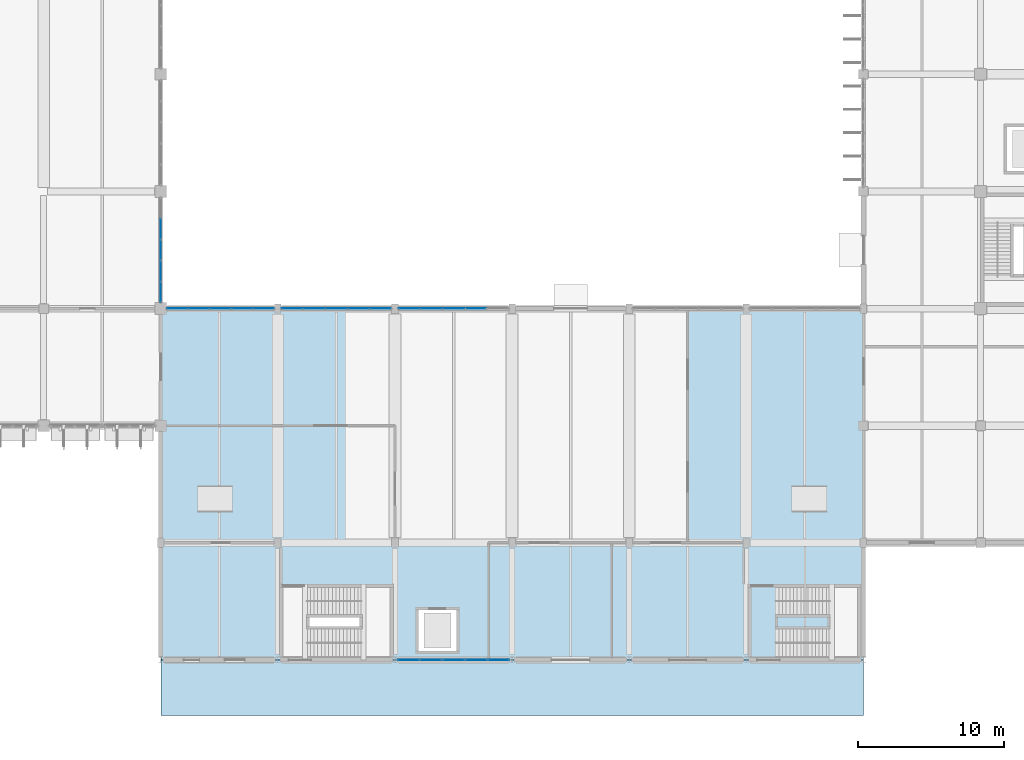
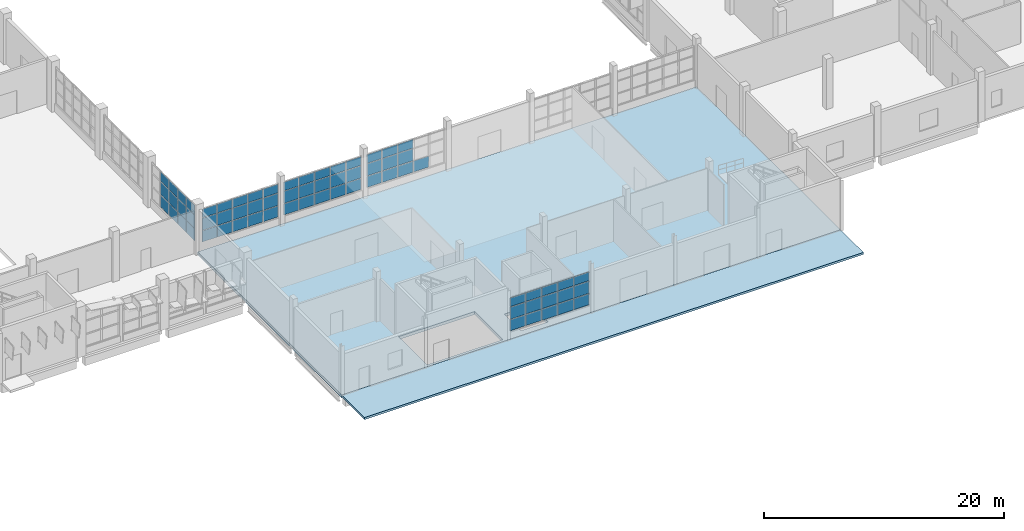
# One storey, part 55 of 103: 67 plates, 2 slabs, 5 elements without a shape of their own.
"""IFC4 building model written with IfcOpenShell, lengths in metres."""

from ifc_helpers import new_model, si_unit, direction, frame, origin, origin_2d, place, context, subcontext, project, spatial, polyline, rectangle, outline, extrude, material, layer, layer_set, type_object, element, aggregate, save


model = new_model("IFC4")

# Units and contexts
model_context = context("Model", 3, precision=1e-05, world=origin(), true_north=direction((0.0, 1.0)))
body_context = subcontext(model_context, "Body", "Model", "MODEL_VIEW")
ifc_project = project(units=[si_unit("LENGTHUNIT", "METRE"), si_unit("AREAUNIT", "SQUARE_METRE"), si_unit("VOLUMEUNIT", "CUBIC_METRE"), si_unit("PLANEANGLEUNIT", "RADIAN"), si_unit("MASSUNIT", "GRAM", prefix="KILO")], contexts=[model_context])

# Site, building, storey
site_placement = place(None, origin())
site = spatial("IfcSite", under=ifc_project, at=site_placement, CompositionType="ELEMENT")
building_placement = place(site_placement, origin())
building = spatial("IfcBuilding", under=site, at=building_placement, Name="Drelvana Railside Aquatics Centre", CompositionType="ELEMENT")
storey_placement = place(building_placement, origin())
storey = spatial("IfcBuildingStorey", under=building, at=storey_placement, Name="L00", CompositionType="ELEMENT", Elevation=0.0)

# Curtain wall, plates
ifc_material_1 = material(Name="Bronze-anodised aluminium curtain wall", Category="aluminium")
ifc_layer_1 = layer(ifc_material_1, 0.18994140625, Name="Bronze-anodised aluminium curtain wall")
ifc_layer_set_1 = layer_set([ifc_layer_1], Name="Bronze-anodised aluminium curtain wall")
curtain_wall_type_1 = type_object("IfcCurtainWallType", Name="CW-Z4-FOYER", PredefinedType="NOTDEFINED", material=ifc_layer_set_1)
curtain_wall_1_placement = place(storey_placement, origin())
curtain_wall_1 = element("IfcCurtainWall", 1, at=curtain_wall_1_placement, inside=storey, type_object=curtain_wall_type_1, Name="Curtain wall CW-04-104", PredefinedType="NOTDEFINED")
ifc_material_2 = material(Name="Double-glazed low-e solar-control glass", Category="glass")
ifc_layer_2 = layer(ifc_material_2, 0.030029296875, Name="Double-glazed low-e solar-control glass")
ifc_layer_set_2 = layer_set([ifc_layer_2], Name="Double-glazed low-e solar-control glass")
plate_type_1 = type_object("IfcPlateType", Name="CW-Z4-FOYER-PAN", PredefinedType="CURTAIN_PANEL", material=ifc_layer_set_2)
plate_1_placement = place(storey_placement, frame((112.931396484375, 0.0, 0.85400390625), z_axis=(0.0, 0.0, 1.0), x_axis=(1.0, 0.0, 0.0)))
plate_1 = element("IfcPlate", 2, at=plate_1_placement, type_object=plate_type_1, Name="CW-04 panel 1.1", PredefinedType="CURTAIN_PANEL", context=body_context, shape_type="SweptSolid", body=[
    extrude(rectangle(XDim=1.454833984375, YDim=0.030029296875, at=origin_2d()), origin(), (0.0, 0.0, 1.0), 1.12255859375),
])
plate_2_placement = place(storey_placement, frame((112.931396484375, 0.0, 2.03173828125), z_axis=(0.0, 0.0, 1.0), x_axis=(1.0, 0.0, 0.0)))
plate_2 = element("IfcPlate", 3, at=plate_2_placement, type_object=plate_type_1, Name="CW-04 panel 1.2", PredefinedType="CURTAIN_PANEL", context=body_context, shape_type="SweptSolid", body=[
    extrude(rectangle(XDim=1.454833984375, YDim=0.030029296875, at=origin_2d()), origin(), (0.0, 0.0, 1.0), 1.222900390625),
])
plate_3_placement = place(storey_placement, frame((112.931396484375, 0.0, 3.3095703125), z_axis=(0.0, 0.0, 1.0), x_axis=(1.0, 0.0, 0.0)))
plate_3 = element("IfcPlate", 4, at=plate_3_placement, type_object=plate_type_1, Name="CW-04 panel 1.3", PredefinedType="CURTAIN_PANEL", context=body_context, shape_type="SweptSolid", body=[
    extrude(rectangle(XDim=1.454833984375, YDim=0.030029296875, at=origin_2d()), origin(), (0.0, 0.0, 1.0), 0.880615234375),
])
plate_4_placement = place(storey_placement, frame((114.45751953125, 0.0, 0.85400390625), z_axis=(0.0, 0.0, 1.0), x_axis=(1.0, 0.0, 0.0)))
plate_4 = element("IfcPlate", 5, at=plate_4_placement, type_object=plate_type_1, Name="CW-04 panel 2.1", PredefinedType="CURTAIN_PANEL", context=body_context, shape_type="SweptSolid", body=[
    extrude(rectangle(XDim=1.4873046875, YDim=0.030029296875, at=origin_2d()), origin(), (0.0, 0.0, 1.0), 1.12255859375),
])
plate_5_placement = place(storey_placement, frame((114.45751953125, 0.0, 2.03173828125), z_axis=(0.0, 0.0, 1.0), x_axis=(1.0, 0.0, 0.0)))
plate_5 = element("IfcPlate", 6, at=plate_5_placement, type_object=plate_type_1, Name="CW-04 panel 2.2", PredefinedType="CURTAIN_PANEL", context=body_context, shape_type="SweptSolid", body=[
    extrude(rectangle(XDim=1.4873046875, YDim=0.030029296875, at=origin_2d()), origin(), (0.0, 0.0, 1.0), 1.222900390625),
])
plate_6_placement = place(storey_placement, frame((114.45751953125, 0.0, 3.3095703125), z_axis=(0.0, 0.0, 1.0), x_axis=(1.0, 0.0, 0.0)))
plate_6 = element("IfcPlate", 7, at=plate_6_placement, type_object=plate_type_1, Name="CW-04 panel 2.3", PredefinedType="CURTAIN_PANEL", context=body_context, shape_type="SweptSolid", body=[
    extrude(rectangle(XDim=1.4873046875, YDim=0.030029296875, at=origin_2d()), origin(), (0.0, 0.0, 1.0), 0.880615234375),
])
plate_7_placement = place(storey_placement, frame((116.0, 0.0, 0.85400390625), z_axis=(0.0, 0.0, 1.0), x_axis=(1.0, 0.0, 0.0)))
plate_7 = element("IfcPlate", 8, at=plate_7_placement, type_object=plate_type_1, Name="CW-04 panel 3.1", PredefinedType="CURTAIN_PANEL", context=body_context, shape_type="SweptSolid", body=[
    extrude(rectangle(XDim=1.4873046875, YDim=0.030029296875, at=origin_2d()), origin(), (0.0, 0.0, 1.0), 1.12255859375),
])
plate_8_placement = place(storey_placement, frame((116.0, 0.0, 2.03173828125), z_axis=(0.0, 0.0, 1.0), x_axis=(1.0, 0.0, 0.0)))
plate_8 = element("IfcPlate", 9, at=plate_8_placement, type_object=plate_type_1, Name="CW-04 panel 3.2", PredefinedType="CURTAIN_PANEL", context=body_context, shape_type="SweptSolid", body=[
    extrude(rectangle(XDim=1.4873046875, YDim=0.030029296875, at=origin_2d()), origin(), (0.0, 0.0, 1.0), 1.222900390625),
])
plate_9_placement = place(storey_placement, frame((116.0, 0.0, 3.3095703125), z_axis=(0.0, 0.0, 1.0), x_axis=(1.0, 0.0, 0.0)))
plate_9 = element("IfcPlate", 10, at=plate_9_placement, type_object=plate_type_1, Name="CW-04 panel 3.3", PredefinedType="CURTAIN_PANEL", context=body_context, shape_type="SweptSolid", body=[
    extrude(rectangle(XDim=1.4873046875, YDim=0.030029296875, at=origin_2d()), origin(), (0.0, 0.0, 1.0), 0.880615234375),
])
plate_10_placement = place(storey_placement, frame((117.54248046875, 0.0, 0.85400390625), z_axis=(0.0, 0.0, 1.0), x_axis=(1.0, 0.0, 0.0)))
plate_10 = element("IfcPlate", 11, at=plate_10_placement, type_object=plate_type_1, Name="CW-04 panel 4.1", PredefinedType="CURTAIN_PANEL", context=body_context, shape_type="SweptSolid", body=[
    extrude(rectangle(XDim=1.4873046875, YDim=0.030029296875, at=origin_2d()), origin(), (0.0, 0.0, 1.0), 1.12255859375),
])
plate_11_placement = place(storey_placement, frame((117.54248046875, 0.0, 2.03173828125), z_axis=(0.0, 0.0, 1.0), x_axis=(1.0, 0.0, 0.0)))
plate_11 = element("IfcPlate", 12, at=plate_11_placement, type_object=plate_type_1, Name="CW-04 panel 4.2", PredefinedType="CURTAIN_PANEL", context=body_context, shape_type="SweptSolid", body=[
    extrude(rectangle(XDim=1.4873046875, YDim=0.030029296875, at=origin_2d()), origin(), (0.0, 0.0, 1.0), 1.222900390625),
])
plate_12_placement = place(storey_placement, frame((117.54248046875, 0.0, 3.3095703125), z_axis=(0.0, 0.0, 1.0), x_axis=(1.0, 0.0, 0.0)))
plate_12 = element("IfcPlate", 13, at=plate_12_placement, type_object=plate_type_1, Name="CW-04 panel 4.3", PredefinedType="CURTAIN_PANEL", context=body_context, shape_type="SweptSolid", body=[
    extrude(rectangle(XDim=1.4873046875, YDim=0.030029296875, at=origin_2d()), origin(), (0.0, 0.0, 1.0), 0.880615234375),
])
plate_13_placement = place(storey_placement, frame((119.068603515625, 0.0, 0.85400390625), z_axis=(0.0, 0.0, 1.0), x_axis=(1.0, 0.0, 0.0)))
plate_13 = element("IfcPlate", 14, at=plate_13_placement, type_object=plate_type_1, Name="CW-04 panel 5.1", PredefinedType="CURTAIN_PANEL", context=body_context, shape_type="SweptSolid", body=[
    extrude(rectangle(XDim=1.454833984375, YDim=0.030029296875, at=origin_2d()), origin(), (0.0, 0.0, 1.0), 1.12255859375),
])
plate_14_placement = place(storey_placement, frame((119.068603515625, 0.0, 2.03173828125), z_axis=(0.0, 0.0, 1.0), x_axis=(1.0, 0.0, 0.0)))
plate_14 = element("IfcPlate", 15, at=plate_14_placement, type_object=plate_type_1, Name="CW-04 panel 5.2", PredefinedType="CURTAIN_PANEL", context=body_context, shape_type="SweptSolid", body=[
    extrude(rectangle(XDim=1.454833984375, YDim=0.030029296875, at=origin_2d()), origin(), (0.0, 0.0, 1.0), 1.222900390625),
])
plate_15_placement = place(storey_placement, frame((119.068603515625, 0.0, 3.3095703125), z_axis=(0.0, 0.0, 1.0), x_axis=(1.0, 0.0, 0.0)))
plate_15 = element("IfcPlate", 16, at=plate_15_placement, type_object=plate_type_1, Name="CW-04 panel 5.3", PredefinedType="CURTAIN_PANEL", context=body_context, shape_type="SweptSolid", body=[
    extrude(rectangle(XDim=1.454833984375, YDim=0.030029296875, at=origin_2d()), origin(), (0.0, 0.0, 1.0), 0.880615234375),
])
aggregate(curtain_wall_1, [plate_1, plate_2, plate_3, plate_4, plate_5, plate_6, plate_7, plate_8, plate_9, plate_10, plate_11, plate_12, plate_13, plate_14, plate_15])

ifc_layer_3 = layer(ifc_material_1, 0.1650390625, Name="Bronze-anodised aluminium curtain wall")
ifc_layer_set_3 = layer_set([ifc_layer_3], Name="Bronze-anodised aluminium curtain wall")
curtain_wall_type_2 = type_object("IfcCurtainWallType", Name="CW-Z5-COURT", PredefinedType="NOTDEFINED", material=ifc_layer_set_3)
curtain_wall_2_placement = place(storey_placement, origin())
curtain_wall_2 = element("IfcCurtainWall", 17, at=curtain_wall_2_placement, inside=storey, type_object=curtain_wall_type_2, Name="Curtain wall CW-05-055", PredefinedType="NOTDEFINED")
ifc_layer_4 = layer(ifc_material_2, 0.02587890625, Name="Double-glazed low-e solar-control glass")
ifc_layer_set_4 = layer_set([ifc_layer_4], Name="Double-glazed low-e solar-control glass")
plate_type_2 = type_object("IfcPlateType", Name="CW-Z5-COURT-PAN", PredefinedType="CURTAIN_PANEL", material=ifc_layer_set_4)
plate_16_placement = place(storey_placement, frame((96.0, 25.130126953125, 0.84912109375), z_axis=(0.0, 0.0, 1.0), x_axis=(0.0, 1.0, 0.0)))
plate_16 = element("IfcPlate", 18, at=plate_16_placement, type_object=plate_type_2, Name="CW-05 panel 1.1", PredefinedType="CURTAIN_PANEL", context=body_context, shape_type="SweptSolid", body=[
    extrude(rectangle(XDim=1.3623046875, YDim=0.02587890625, at=origin_2d()), origin(), (0.0, 0.0, 1.0), 1.217041015625),
])
plate_17_placement = place(storey_placement, frame((96.0, 25.130126953125, 2.1162109375), z_axis=(0.0, 0.0, 1.0), x_axis=(0.0, 1.0, 0.0)))
plate_17 = element("IfcPlate", 19, at=plate_17_placement, type_object=plate_type_2, Name="CW-05 panel 1.2", PredefinedType="CURTAIN_PANEL", context=body_context, shape_type="SweptSolid", body=[
    extrude(rectangle(XDim=1.3623046875, YDim=0.02587890625, at=origin_2d()), origin(), (0.0, 0.0, 1.0), 1.321044921875),
])
plate_18_placement = place(storey_placement, frame((96.0, 25.130126953125, 3.487060546875), z_axis=(0.0, 0.0, 1.0), x_axis=(0.0, 1.0, 0.0)))
plate_18 = element("IfcPlate", 20, at=plate_18_placement, type_object=plate_type_2, Name="CW-05 panel 1.3", PredefinedType="CURTAIN_PANEL", context=body_context, shape_type="SweptSolid", body=[
    extrude(rectangle(XDim=1.3623046875, YDim=0.02587890625, at=origin_2d()), origin(), (0.0, 0.0, 1.0), 0.9580078125),
])
plate_19_placement = place(storey_placement, frame((96.0, 26.5576171875, 0.84912109375), z_axis=(0.0, 0.0, 1.0), x_axis=(0.0, 1.0, 0.0)))
plate_19 = element("IfcPlate", 21, at=plate_19_placement, type_object=plate_type_2, Name="CW-05 panel 2.1", PredefinedType="CURTAIN_PANEL", context=body_context, shape_type="SweptSolid", body=[
    extrude(rectangle(XDim=1.392333984375, YDim=0.02587890625, at=origin_2d()), origin(), (0.0, 0.0, 1.0), 1.217041015625),
])
plate_20_placement = place(storey_placement, frame((96.0, 26.5576171875, 2.1162109375), z_axis=(0.0, 0.0, 1.0), x_axis=(0.0, 1.0, 0.0)))
plate_20 = element("IfcPlate", 22, at=plate_20_placement, type_object=plate_type_2, Name="CW-05 panel 2.2", PredefinedType="CURTAIN_PANEL", context=body_context, shape_type="SweptSolid", body=[
    extrude(rectangle(XDim=1.392333984375, YDim=0.02587890625, at=origin_2d()), origin(), (0.0, 0.0, 1.0), 1.321044921875),
])
plate_21_placement = place(storey_placement, frame((96.0, 26.5576171875, 3.487060546875), z_axis=(0.0, 0.0, 1.0), x_axis=(0.0, 1.0, 0.0)))
plate_21 = element("IfcPlate", 23, at=plate_21_placement, type_object=plate_type_2, Name="CW-05 panel 2.3", PredefinedType="CURTAIN_PANEL", context=body_context, shape_type="SweptSolid", body=[
    extrude(rectangle(XDim=1.392333984375, YDim=0.02587890625, at=origin_2d()), origin(), (0.0, 0.0, 1.0), 0.9580078125),
])
plate_22_placement = place(storey_placement, frame((96.0, 28.0, 0.84912109375), z_axis=(0.0, 0.0, 1.0), x_axis=(0.0, 1.0, 0.0)))
plate_22 = element("IfcPlate", 24, at=plate_22_placement, type_object=plate_type_2, Name="CW-05 panel 3.1", PredefinedType="CURTAIN_PANEL", context=body_context, shape_type="SweptSolid", body=[
    extrude(rectangle(XDim=1.392333984375, YDim=0.02587890625, at=origin_2d()), origin(), (0.0, 0.0, 1.0), 1.217041015625),
])
plate_23_placement = place(storey_placement, frame((96.0, 28.0, 2.1162109375), z_axis=(0.0, 0.0, 1.0), x_axis=(0.0, 1.0, 0.0)))
plate_23 = element("IfcPlate", 25, at=plate_23_placement, type_object=plate_type_2, Name="CW-05 panel 3.2", PredefinedType="CURTAIN_PANEL", context=body_context, shape_type="SweptSolid", body=[
    extrude(rectangle(XDim=1.392333984375, YDim=0.02587890625, at=origin_2d()), origin(), (0.0, 0.0, 1.0), 1.321044921875),
])
plate_24_placement = place(storey_placement, frame((96.0, 28.0, 3.487060546875), z_axis=(0.0, 0.0, 1.0), x_axis=(0.0, 1.0, 0.0)))
plate_24 = element("IfcPlate", 26, at=plate_24_placement, type_object=plate_type_2, Name="CW-05 panel 3.3", PredefinedType="CURTAIN_PANEL", context=body_context, shape_type="SweptSolid", body=[
    extrude(rectangle(XDim=1.392333984375, YDim=0.02587890625, at=origin_2d()), origin(), (0.0, 0.0, 1.0), 0.9580078125),
])
plate_25_placement = place(storey_placement, frame((96.0, 29.4423828125, 0.84912109375), z_axis=(0.0, 0.0, 1.0), x_axis=(0.0, 1.0, 0.0)))
plate_25 = element("IfcPlate", 27, at=plate_25_placement, type_object=plate_type_2, Name="CW-05 panel 4.1", PredefinedType="CURTAIN_PANEL", context=body_context, shape_type="SweptSolid", body=[
    extrude(rectangle(XDim=1.392333984375, YDim=0.02587890625, at=origin_2d()), origin(), (0.0, 0.0, 1.0), 1.217041015625),
])
plate_26_placement = place(storey_placement, frame((96.0, 29.4423828125, 2.1162109375), z_axis=(0.0, 0.0, 1.0), x_axis=(0.0, 1.0, 0.0)))
plate_26 = element("IfcPlate", 28, at=plate_26_placement, type_object=plate_type_2, Name="CW-05 panel 4.2", PredefinedType="CURTAIN_PANEL", context=body_context, shape_type="SweptSolid", body=[
    extrude(rectangle(XDim=1.392333984375, YDim=0.02587890625, at=origin_2d()), origin(), (0.0, 0.0, 1.0), 1.321044921875),
])
plate_27_placement = place(storey_placement, frame((96.0, 29.4423828125, 3.487060546875), z_axis=(0.0, 0.0, 1.0), x_axis=(0.0, 1.0, 0.0)))
plate_27 = element("IfcPlate", 29, at=plate_27_placement, type_object=plate_type_2, Name="CW-05 panel 4.3", PredefinedType="CURTAIN_PANEL", context=body_context, shape_type="SweptSolid", body=[
    extrude(rectangle(XDim=1.392333984375, YDim=0.02587890625, at=origin_2d()), origin(), (0.0, 0.0, 1.0), 0.9580078125),
])
aggregate(curtain_wall_2, [plate_16, plate_17, plate_18, plate_19, plate_20, plate_21, plate_22, plate_23, plate_24, plate_25, plate_26, plate_27])

curtain_wall_3_placement = place(storey_placement, origin())
curtain_wall_3 = element("IfcCurtainWall", 30, at=curtain_wall_3_placement, inside=storey, type_object=curtain_wall_type_2, Name="Curtain wall CW-05-100", PredefinedType="NOTDEFINED")
plate_28_placement = place(storey_placement, frame((97.147705078125, 24.0, 0.84912109375), z_axis=(0.0, 0.0, 1.0), x_axis=(1.0, 0.0, 0.0)))
plate_28 = element("IfcPlate", 31, at=plate_28_placement, type_object=plate_type_2, Name="CW-05 panel 1.1", PredefinedType="CURTAIN_PANEL", context=body_context, shape_type="SweptSolid", body=[
    extrude(rectangle(XDim=1.3974609375, YDim=0.02587890625, at=origin_2d()), origin(), (0.0, 0.0, 1.0), 1.1298828125),
])
plate_29_placement = place(storey_placement, frame((97.147705078125, 24.0, 2.029052734375), z_axis=(0.0, 0.0, 1.0), x_axis=(1.0, 0.0, 0.0)))
plate_29 = element("IfcPlate", 32, at=plate_29_placement, type_object=plate_type_2, Name="CW-05 panel 1.2", PredefinedType="CURTAIN_PANEL", context=body_context, shape_type="SweptSolid", body=[
    extrude(rectangle(XDim=1.3974609375, YDim=0.02587890625, at=origin_2d()), origin(), (0.0, 0.0, 1.0), 1.22802734375),
])
plate_30_placement = place(storey_placement, frame((97.147705078125, 24.0, 3.30712890625), z_axis=(0.0, 0.0, 1.0), x_axis=(1.0, 0.0, 0.0)))
plate_30 = element("IfcPlate", 33, at=plate_30_placement, type_object=plate_type_2, Name="CW-05 panel 1.3", PredefinedType="CURTAIN_PANEL", context=body_context, shape_type="SweptSolid", body=[
    extrude(rectangle(XDim=1.3974609375, YDim=0.02587890625, at=origin_2d()), origin(), (0.0, 0.0, 1.0), 0.887939453125),
])
plate_31_placement = place(storey_placement, frame((98.610107421875, 24.0, 0.84912109375), z_axis=(0.0, 0.0, 1.0), x_axis=(1.0, 0.0, 0.0)))
plate_31 = element("IfcPlate", 34, at=plate_31_placement, type_object=plate_type_2, Name="CW-05 panel 2.1", PredefinedType="CURTAIN_PANEL", context=body_context, shape_type="SweptSolid", body=[
    extrude(rectangle(XDim=1.427490234375, YDim=0.02587890625, at=origin_2d()), origin(), (0.0, 0.0, 1.0), 1.1298828125),
])
plate_32_placement = place(storey_placement, frame((98.610107421875, 24.0, 2.029052734375), z_axis=(0.0, 0.0, 1.0), x_axis=(1.0, 0.0, 0.0)))
plate_32 = element("IfcPlate", 35, at=plate_32_placement, type_object=plate_type_2, Name="CW-05 panel 2.2", PredefinedType="CURTAIN_PANEL", context=body_context, shape_type="SweptSolid", body=[
    extrude(rectangle(XDim=1.427490234375, YDim=0.02587890625, at=origin_2d()), origin(), (0.0, 0.0, 1.0), 1.22802734375),
])
plate_33_placement = place(storey_placement, frame((98.610107421875, 24.0, 3.30712890625), z_axis=(0.0, 0.0, 1.0), x_axis=(1.0, 0.0, 0.0)))
plate_33 = element("IfcPlate", 36, at=plate_33_placement, type_object=plate_type_2, Name="CW-05 panel 2.3", PredefinedType="CURTAIN_PANEL", context=body_context, shape_type="SweptSolid", body=[
    extrude(rectangle(XDim=1.427490234375, YDim=0.02587890625, at=origin_2d()), origin(), (0.0, 0.0, 1.0), 0.887939453125),
])
plate_34_placement = place(storey_placement, frame((100.08740234375, 24.0, 0.84912109375), z_axis=(0.0, 0.0, 1.0), x_axis=(1.0, 0.0, 0.0)))
plate_34 = element("IfcPlate", 37, at=plate_34_placement, type_object=plate_type_2, Name="CW-05 panel 3.1", PredefinedType="CURTAIN_PANEL", context=body_context, shape_type="SweptSolid", body=[
    extrude(rectangle(XDim=1.427490234375, YDim=0.02587890625, at=origin_2d()), origin(), (0.0, 0.0, 1.0), 1.1298828125),
])
plate_35_placement = place(storey_placement, frame((100.08740234375, 24.0, 2.029052734375), z_axis=(0.0, 0.0, 1.0), x_axis=(1.0, 0.0, 0.0)))
plate_35 = element("IfcPlate", 38, at=plate_35_placement, type_object=plate_type_2, Name="CW-05 panel 3.2", PredefinedType="CURTAIN_PANEL", context=body_context, shape_type="SweptSolid", body=[
    extrude(rectangle(XDim=1.427490234375, YDim=0.02587890625, at=origin_2d()), origin(), (0.0, 0.0, 1.0), 1.22802734375),
])
plate_36_placement = place(storey_placement, frame((100.08740234375, 24.0, 3.30712890625), z_axis=(0.0, 0.0, 1.0), x_axis=(1.0, 0.0, 0.0)))
plate_36 = element("IfcPlate", 39, at=plate_36_placement, type_object=plate_type_2, Name="CW-05 panel 3.3", PredefinedType="CURTAIN_PANEL", context=body_context, shape_type="SweptSolid", body=[
    extrude(rectangle(XDim=1.427490234375, YDim=0.02587890625, at=origin_2d()), origin(), (0.0, 0.0, 1.0), 0.887939453125),
])
plate_37_placement = place(storey_placement, frame((101.56494140625, 24.0, 0.84912109375), z_axis=(0.0, 0.0, 1.0), x_axis=(1.0, 0.0, 0.0)))
plate_37 = element("IfcPlate", 40, at=plate_37_placement, type_object=plate_type_2, Name="CW-05 panel 4.1", PredefinedType="CURTAIN_PANEL", context=body_context, shape_type="SweptSolid", body=[
    extrude(rectangle(XDim=1.427490234375, YDim=0.02587890625, at=origin_2d()), origin(), (0.0, 0.0, 1.0), 1.1298828125),
])
plate_38_placement = place(storey_placement, frame((101.56494140625, 24.0, 2.029052734375), z_axis=(0.0, 0.0, 1.0), x_axis=(1.0, 0.0, 0.0)))
plate_38 = element("IfcPlate", 41, at=plate_38_placement, type_object=plate_type_2, Name="CW-05 panel 4.2", PredefinedType="CURTAIN_PANEL", context=body_context, shape_type="SweptSolid", body=[
    extrude(rectangle(XDim=1.427490234375, YDim=0.02587890625, at=origin_2d()), origin(), (0.0, 0.0, 1.0), 1.22802734375),
])
plate_39_placement = place(storey_placement, frame((101.56494140625, 24.0, 3.30712890625), z_axis=(0.0, 0.0, 1.0), x_axis=(1.0, 0.0, 0.0)))
plate_39 = element("IfcPlate", 42, at=plate_39_placement, type_object=plate_type_2, Name="CW-05 panel 4.3", PredefinedType="CURTAIN_PANEL", context=body_context, shape_type="SweptSolid", body=[
    extrude(rectangle(XDim=1.427490234375, YDim=0.02587890625, at=origin_2d()), origin(), (0.0, 0.0, 1.0), 0.887939453125),
])
plate_40_placement = place(storey_placement, frame((103.02734375, 24.0, 0.84912109375), z_axis=(0.0, 0.0, 1.0), x_axis=(1.0, 0.0, 0.0)))
plate_40 = element("IfcPlate", 43, at=plate_40_placement, type_object=plate_type_2, Name="CW-05 panel 5.1", PredefinedType="CURTAIN_PANEL", context=body_context, shape_type="SweptSolid", body=[
    extrude(rectangle(XDim=1.3974609375, YDim=0.02587890625, at=origin_2d()), origin(), (0.0, 0.0, 1.0), 1.1298828125),
])
plate_41_placement = place(storey_placement, frame((103.02734375, 24.0, 2.029052734375), z_axis=(0.0, 0.0, 1.0), x_axis=(1.0, 0.0, 0.0)))
plate_41 = element("IfcPlate", 44, at=plate_41_placement, type_object=plate_type_2, Name="CW-05 panel 5.2", PredefinedType="CURTAIN_PANEL", context=body_context, shape_type="SweptSolid", body=[
    extrude(rectangle(XDim=1.3974609375, YDim=0.02587890625, at=origin_2d()), origin(), (0.0, 0.0, 1.0), 1.22802734375),
])
plate_42_placement = place(storey_placement, frame((103.02734375, 24.0, 3.30712890625), z_axis=(0.0, 0.0, 1.0), x_axis=(1.0, 0.0, 0.0)))
plate_42 = element("IfcPlate", 45, at=plate_42_placement, type_object=plate_type_2, Name="CW-05 panel 5.3", PredefinedType="CURTAIN_PANEL", context=body_context, shape_type="SweptSolid", body=[
    extrude(rectangle(XDim=1.3974609375, YDim=0.02587890625, at=origin_2d()), origin(), (0.0, 0.0, 1.0), 0.887939453125),
])
aggregate(curtain_wall_3, [plate_28, plate_29, plate_30, plate_31, plate_32, plate_33, plate_34, plate_35, plate_36, plate_37, plate_38, plate_39, plate_40, plate_41, plate_42])

curtain_wall_4_placement = place(storey_placement, origin())
curtain_wall_4 = element("IfcCurtainWall", 46, at=curtain_wall_4_placement, inside=storey, type_object=curtain_wall_type_2, Name="Curtain wall CW-05-102", PredefinedType="NOTDEFINED")
plate_43_placement = place(storey_placement, frame((104.990234375, 24.0, 0.84912109375), z_axis=(0.0, 0.0, 1.0), x_axis=(1.0, 0.0, 0.0)))
plate_43 = element("IfcPlate", 47, at=plate_43_placement, type_object=plate_type_2, Name="CW-05 panel 1.1", PredefinedType="CURTAIN_PANEL", context=body_context, shape_type="SweptSolid", body=[
    extrude(rectangle(XDim=1.432373046875, YDim=0.02587890625, at=origin_2d()), origin(), (0.0, 0.0, 1.0), 1.1298828125),
])
plate_44_placement = place(storey_placement, frame((104.990234375, 24.0, 2.029052734375), z_axis=(0.0, 0.0, 1.0), x_axis=(1.0, 0.0, 0.0)))
plate_44 = element("IfcPlate", 48, at=plate_44_placement, type_object=plate_type_2, Name="CW-05 panel 1.2", PredefinedType="CURTAIN_PANEL", context=body_context, shape_type="SweptSolid", body=[
    extrude(rectangle(XDim=1.432373046875, YDim=0.02587890625, at=origin_2d()), origin(), (0.0, 0.0, 1.0), 1.22802734375),
])
plate_45_placement = place(storey_placement, frame((104.990234375, 24.0, 3.30712890625), z_axis=(0.0, 0.0, 1.0), x_axis=(1.0, 0.0, 0.0)))
plate_45 = element("IfcPlate", 49, at=plate_45_placement, type_object=plate_type_2, Name="CW-05 panel 1.3", PredefinedType="CURTAIN_PANEL", context=body_context, shape_type="SweptSolid", body=[
    extrude(rectangle(XDim=1.432373046875, YDim=0.02587890625, at=origin_2d()), origin(), (0.0, 0.0, 1.0), 0.887939453125),
])
plate_46_placement = place(storey_placement, frame((106.487548828125, 24.0, 0.84912109375), z_axis=(0.0, 0.0, 1.0), x_axis=(1.0, 0.0, 0.0)))
plate_46 = element("IfcPlate", 50, at=plate_46_placement, type_object=plate_type_2, Name="CW-05 panel 2.1", PredefinedType="CURTAIN_PANEL", context=body_context, shape_type="SweptSolid", body=[
    extrude(rectangle(XDim=1.46240234375, YDim=0.02587890625, at=origin_2d()), origin(), (0.0, 0.0, 1.0), 1.1298828125),
])
plate_47_placement = place(storey_placement, frame((106.487548828125, 24.0, 2.029052734375), z_axis=(0.0, 0.0, 1.0), x_axis=(1.0, 0.0, 0.0)))
plate_47 = element("IfcPlate", 51, at=plate_47_placement, type_object=plate_type_2, Name="CW-05 panel 2.2", PredefinedType="CURTAIN_PANEL", context=body_context, shape_type="SweptSolid", body=[
    extrude(rectangle(XDim=1.46240234375, YDim=0.02587890625, at=origin_2d()), origin(), (0.0, 0.0, 1.0), 1.22802734375),
])
plate_48_placement = place(storey_placement, frame((106.487548828125, 24.0, 3.30712890625), z_axis=(0.0, 0.0, 1.0), x_axis=(1.0, 0.0, 0.0)))
plate_48 = element("IfcPlate", 52, at=plate_48_placement, type_object=plate_type_2, Name="CW-05 panel 2.3", PredefinedType="CURTAIN_PANEL", context=body_context, shape_type="SweptSolid", body=[
    extrude(rectangle(XDim=1.46240234375, YDim=0.02587890625, at=origin_2d()), origin(), (0.0, 0.0, 1.0), 0.887939453125),
])
plate_49_placement = place(storey_placement, frame((108.0, 24.0, 0.84912109375), z_axis=(0.0, 0.0, 1.0), x_axis=(1.0, 0.0, 0.0)))
plate_49 = element("IfcPlate", 53, at=plate_49_placement, type_object=plate_type_2, Name="CW-05 panel 3.1", PredefinedType="CURTAIN_PANEL", context=body_context, shape_type="SweptSolid", body=[
    extrude(rectangle(XDim=1.46240234375, YDim=0.02587890625, at=origin_2d()), origin(), (0.0, 0.0, 1.0), 1.1298828125),
])
plate_50_placement = place(storey_placement, frame((108.0, 24.0, 2.029052734375), z_axis=(0.0, 0.0, 1.0), x_axis=(1.0, 0.0, 0.0)))
plate_50 = element("IfcPlate", 54, at=plate_50_placement, type_object=plate_type_2, Name="CW-05 panel 3.2", PredefinedType="CURTAIN_PANEL", context=body_context, shape_type="SweptSolid", body=[
    extrude(rectangle(XDim=1.46240234375, YDim=0.02587890625, at=origin_2d()), origin(), (0.0, 0.0, 1.0), 1.22802734375),
])
plate_51_placement = place(storey_placement, frame((108.0, 24.0, 3.30712890625), z_axis=(0.0, 0.0, 1.0), x_axis=(1.0, 0.0, 0.0)))
plate_51 = element("IfcPlate", 55, at=plate_51_placement, type_object=plate_type_2, Name="CW-05 panel 3.3", PredefinedType="CURTAIN_PANEL", context=body_context, shape_type="SweptSolid", body=[
    extrude(rectangle(XDim=1.46240234375, YDim=0.02587890625, at=origin_2d()), origin(), (0.0, 0.0, 1.0), 0.887939453125),
])
plate_52_placement = place(storey_placement, frame((109.512451171875, 24.0, 0.84912109375), z_axis=(0.0, 0.0, 1.0), x_axis=(1.0, 0.0, 0.0)))
plate_52 = element("IfcPlate", 56, at=plate_52_placement, type_object=plate_type_2, Name="CW-05 panel 4.1", PredefinedType="CURTAIN_PANEL", context=body_context, shape_type="SweptSolid", body=[
    extrude(rectangle(XDim=1.46240234375, YDim=0.02587890625, at=origin_2d()), origin(), (0.0, 0.0, 1.0), 1.1298828125),
])
plate_53_placement = place(storey_placement, frame((109.512451171875, 24.0, 2.029052734375), z_axis=(0.0, 0.0, 1.0), x_axis=(1.0, 0.0, 0.0)))
plate_53 = element("IfcPlate", 57, at=plate_53_placement, type_object=plate_type_2, Name="CW-05 panel 4.2", PredefinedType="CURTAIN_PANEL", context=body_context, shape_type="SweptSolid", body=[
    extrude(rectangle(XDim=1.46240234375, YDim=0.02587890625, at=origin_2d()), origin(), (0.0, 0.0, 1.0), 1.22802734375),
])
plate_54_placement = place(storey_placement, frame((109.512451171875, 24.0, 3.30712890625), z_axis=(0.0, 0.0, 1.0), x_axis=(1.0, 0.0, 0.0)))
plate_54 = element("IfcPlate", 58, at=plate_54_placement, type_object=plate_type_2, Name="CW-05 panel 4.3", PredefinedType="CURTAIN_PANEL", context=body_context, shape_type="SweptSolid", body=[
    extrude(rectangle(XDim=1.46240234375, YDim=0.02587890625, at=origin_2d()), origin(), (0.0, 0.0, 1.0), 0.887939453125),
])
plate_55_placement = place(storey_placement, frame((111.009765625, 24.0, 0.84912109375), z_axis=(0.0, 0.0, 1.0), x_axis=(1.0, 0.0, 0.0)))
plate_55 = element("IfcPlate", 59, at=plate_55_placement, type_object=plate_type_2, Name="CW-05 panel 5.1", PredefinedType="CURTAIN_PANEL", context=body_context, shape_type="SweptSolid", body=[
    extrude(rectangle(XDim=1.432373046875, YDim=0.02587890625, at=origin_2d()), origin(), (0.0, 0.0, 1.0), 1.1298828125),
])
plate_56_placement = place(storey_placement, frame((111.009765625, 24.0, 2.029052734375), z_axis=(0.0, 0.0, 1.0), x_axis=(1.0, 0.0, 0.0)))
plate_56 = element("IfcPlate", 60, at=plate_56_placement, type_object=plate_type_2, Name="CW-05 panel 5.2", PredefinedType="CURTAIN_PANEL", context=body_context, shape_type="SweptSolid", body=[
    extrude(rectangle(XDim=1.432373046875, YDim=0.02587890625, at=origin_2d()), origin(), (0.0, 0.0, 1.0), 1.22802734375),
])
plate_57_placement = place(storey_placement, frame((111.009765625, 24.0, 3.30712890625), z_axis=(0.0, 0.0, 1.0), x_axis=(1.0, 0.0, 0.0)))
plate_57 = element("IfcPlate", 61, at=plate_57_placement, type_object=plate_type_2, Name="CW-05 panel 5.3", PredefinedType="CURTAIN_PANEL", context=body_context, shape_type="SweptSolid", body=[
    extrude(rectangle(XDim=1.432373046875, YDim=0.02587890625, at=origin_2d()), origin(), (0.0, 0.0, 1.0), 0.887939453125),
])
aggregate(curtain_wall_4, [plate_43, plate_44, plate_45, plate_46, plate_47, plate_48, plate_49, plate_50, plate_51, plate_52, plate_53, plate_54, plate_55, plate_56, plate_57])

curtain_wall_5_placement = place(storey_placement, origin())
curtain_wall_5 = element("IfcCurtainWall", 62, at=curtain_wall_5_placement, inside=storey, type_object=curtain_wall_type_2, Name="Curtain wall CW-05-106", PredefinedType="NOTDEFINED")
plate_58_placement = place(storey_placement, frame((112.990234375, 24.0, 0.84912109375), z_axis=(0.0, 0.0, 1.0), x_axis=(1.0, 0.0, 0.0)))
plate_58 = element("IfcPlate", 63, at=plate_58_placement, type_object=plate_type_2, Name="CW-05 panel 1.1", PredefinedType="CURTAIN_PANEL", context=body_context, shape_type="SweptSolid", body=[
    extrude(rectangle(XDim=1.432373046875, YDim=0.02587890625, at=origin_2d()), origin(), (0.0, 0.0, 1.0), 1.1298828125),
])
plate_59_placement = place(storey_placement, frame((112.990234375, 24.0, 2.029052734375), z_axis=(0.0, 0.0, 1.0), x_axis=(1.0, 0.0, 0.0)))
plate_59 = element("IfcPlate", 64, at=plate_59_placement, type_object=plate_type_2, Name="CW-05 panel 1.2", PredefinedType="CURTAIN_PANEL", context=body_context, shape_type="SweptSolid", body=[
    extrude(rectangle(XDim=1.432373046875, YDim=0.02587890625, at=origin_2d()), origin(), (0.0, 0.0, 1.0), 1.22802734375),
])
plate_60_placement = place(storey_placement, frame((112.990234375, 24.0, 3.30712890625), z_axis=(0.0, 0.0, 1.0), x_axis=(1.0, 0.0, 0.0)))
plate_60 = element("IfcPlate", 65, at=plate_60_placement, type_object=plate_type_2, Name="CW-05 panel 1.3", PredefinedType="CURTAIN_PANEL", context=body_context, shape_type="SweptSolid", body=[
    extrude(rectangle(XDim=1.432373046875, YDim=0.02587890625, at=origin_2d()), origin(), (0.0, 0.0, 1.0), 0.887939453125),
])
plate_61_placement = place(storey_placement, frame((114.487548828125, 24.0, 0.84912109375), z_axis=(0.0, 0.0, 1.0), x_axis=(1.0, 0.0, 0.0)))
plate_61 = element("IfcPlate", 66, at=plate_61_placement, type_object=plate_type_2, Name="CW-05 panel 2.1", PredefinedType="CURTAIN_PANEL", context=body_context, shape_type="SweptSolid", body=[
    extrude(rectangle(XDim=1.46240234375, YDim=0.02587890625, at=origin_2d()), origin(), (0.0, 0.0, 1.0), 1.1298828125),
])
plate_62_placement = place(storey_placement, frame((114.487548828125, 24.0, 2.029052734375), z_axis=(0.0, 0.0, 1.0), x_axis=(1.0, 0.0, 0.0)))
plate_62 = element("IfcPlate", 67, at=plate_62_placement, type_object=plate_type_2, Name="CW-05 panel 2.2", PredefinedType="CURTAIN_PANEL", context=body_context, shape_type="SweptSolid", body=[
    extrude(rectangle(XDim=1.46240234375, YDim=0.02587890625, at=origin_2d()), origin(), (0.0, 0.0, 1.0), 1.22802734375),
])
plate_63_placement = place(storey_placement, frame((114.487548828125, 24.0, 3.30712890625), z_axis=(0.0, 0.0, 1.0), x_axis=(1.0, 0.0, 0.0)))
plate_63 = element("IfcPlate", 68, at=plate_63_placement, type_object=plate_type_2, Name="CW-05 panel 2.3", PredefinedType="CURTAIN_PANEL", context=body_context, shape_type="SweptSolid", body=[
    extrude(rectangle(XDim=1.46240234375, YDim=0.02587890625, at=origin_2d()), origin(), (0.0, 0.0, 1.0), 0.887939453125),
])
plate_64_placement = place(storey_placement, frame((116.0, 24.0, 0.84912109375), z_axis=(0.0, 0.0, 1.0), x_axis=(1.0, 0.0, 0.0)))
plate_64 = element("IfcPlate", 69, at=plate_64_placement, type_object=plate_type_2, Name="CW-05 panel 3.1", PredefinedType="CURTAIN_PANEL", context=body_context, shape_type="SweptSolid", body=[
    extrude(rectangle(XDim=1.46240234375, YDim=0.02587890625, at=origin_2d()), origin(), (0.0, 0.0, 1.0), 1.1298828125),
])
plate_65_placement = place(storey_placement, frame((116.0, 24.0, 2.029052734375), z_axis=(0.0, 0.0, 1.0), x_axis=(1.0, 0.0, 0.0)))
plate_65 = element("IfcPlate", 70, at=plate_65_placement, type_object=plate_type_2, Name="CW-05 panel 3.2", PredefinedType="CURTAIN_PANEL", context=body_context, shape_type="SweptSolid", body=[
    extrude(rectangle(XDim=1.46240234375, YDim=0.02587890625, at=origin_2d()), origin(), (0.0, 0.0, 1.0), 1.22802734375),
])
plate_66_placement = place(storey_placement, frame((116.0, 24.0, 3.30712890625), z_axis=(0.0, 0.0, 1.0), x_axis=(1.0, 0.0, 0.0)))
plate_66 = element("IfcPlate", 71, at=plate_66_placement, type_object=plate_type_2, Name="CW-05 panel 3.3", PredefinedType="CURTAIN_PANEL", context=body_context, shape_type="SweptSolid", body=[
    extrude(rectangle(XDim=1.46240234375, YDim=0.02587890625, at=origin_2d()), origin(), (0.0, 0.0, 1.0), 0.887939453125),
])
plate_67_placement = place(storey_placement, frame((117.512451171875, 24.0, 0.84912109375), z_axis=(0.0, 0.0, 1.0), x_axis=(1.0, 0.0, 0.0)))
plate_67 = element("IfcPlate", 72, at=plate_67_placement, type_object=plate_type_2, Name="CW-05 panel 4.1", PredefinedType="CURTAIN_PANEL", context=body_context, shape_type="SweptSolid", body=[
    extrude(rectangle(XDim=1.46240234375, YDim=0.02587890625, at=origin_2d()), origin(), (0.0, 0.0, 1.0), 1.1298828125),
])
aggregate(curtain_wall_5, [plate_58, plate_59, plate_60, plate_61, plate_62, plate_63, plate_64, plate_65, plate_66, plate_67])

# Slabs
ifc_material_3 = material(Name="Concrete C40/50", Category="concrete")
ifc_layer_5 = layer(ifc_material_3, 0.300048828125, Name="Concrete C40/50")
ifc_layer_set_5 = layer_set([ifc_layer_5], Name="Concrete C40/50")
slab_type_1 = type_object("IfcSlabType", Name="SL-L00-300", PredefinedType="FLOOR", material=ifc_layer_set_5)
slab_1_placement = place(storey_placement, frame((0.0, 0.0, -0.300048828125)))
element("IfcSlab", 73, at=slab_1_placement, inside=storey, type_object=slab_type_1, Name="Entrance Foyer ground concourse slab", PredefinedType="FLOOR", context=body_context, shape_type="SweptSolid", body=[
    extrude(outline(polyline([(96.0, 0.0), (144.0, 0.0), (144.0, 24.0), (96.0, 24.0), (96.0, 0.0)]), holes=[polyline([(104.35009765625, 0.25), (111.64990234375, 0.25), (111.64990234375, 4.949951171875), (104.35009765625, 4.949951171875), (104.35009765625, 0.25)]), polyline([(113.60009765625, 0.60009765625), (116.199951171875, 0.60009765625), (116.199951171875, 3.39990234375), (113.60009765625, 3.39990234375), (113.60009765625, 0.60009765625)])]), origin(), (0.0, 0.0, 1.0), 0.300048828125),
])
ifc_material_4 = material(Name="Precast concrete C40/50", Category="concrete")
ifc_layer_6 = layer(ifc_material_4, 0.2099609375, Name="Precast concrete C40/50")
ifc_layer_set_6 = layer_set([ifc_layer_6], Name="Precast concrete C40/50")
slab_type_2 = type_object("IfcSlabType", Name="SL-PAV-210", PredefinedType="BASESLAB", material=ifc_layer_set_6)
slab_2_placement = place(storey_placement, frame((0.0, 0.0, -0.2099609375)))
element("IfcSlab", 74, at=slab_2_placement, inside=storey, type_object=slab_type_2, Name="Railside arrival forecourt apron slab", PredefinedType="BASESLAB", context=body_context, shape_type="SweptSolid", body=[
    extrude(outline(polyline([(96.0, -3.800048828125), (144.0, -3.800048828125), (144.0, -0.0048828125), (96.0, -0.0048828125), (96.0, -3.800048828125)])), origin(), (0.0, 0.0, 1.0), 0.2099609375),
])

save(model, "model.ifc")
